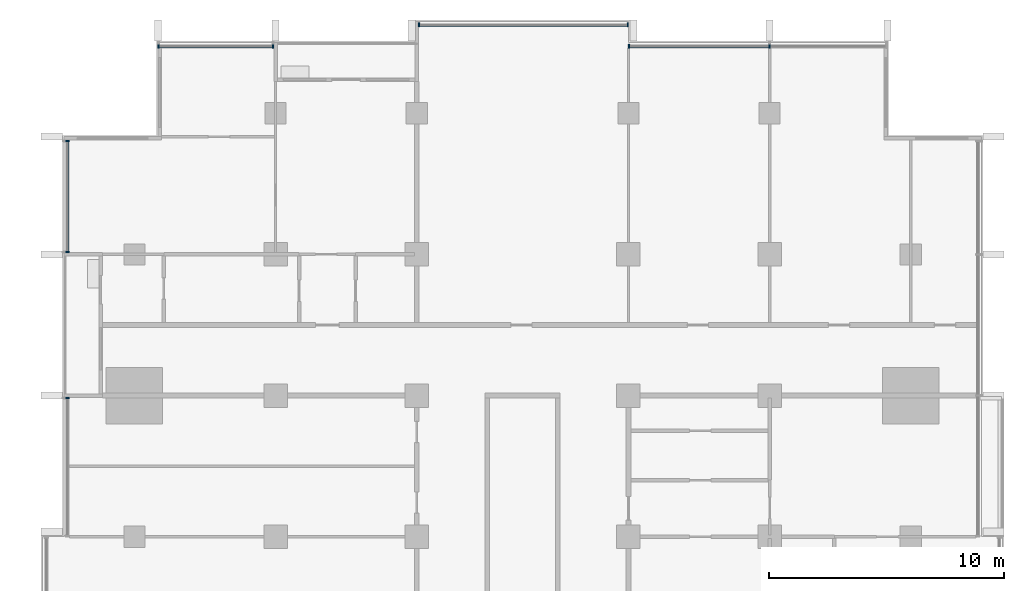
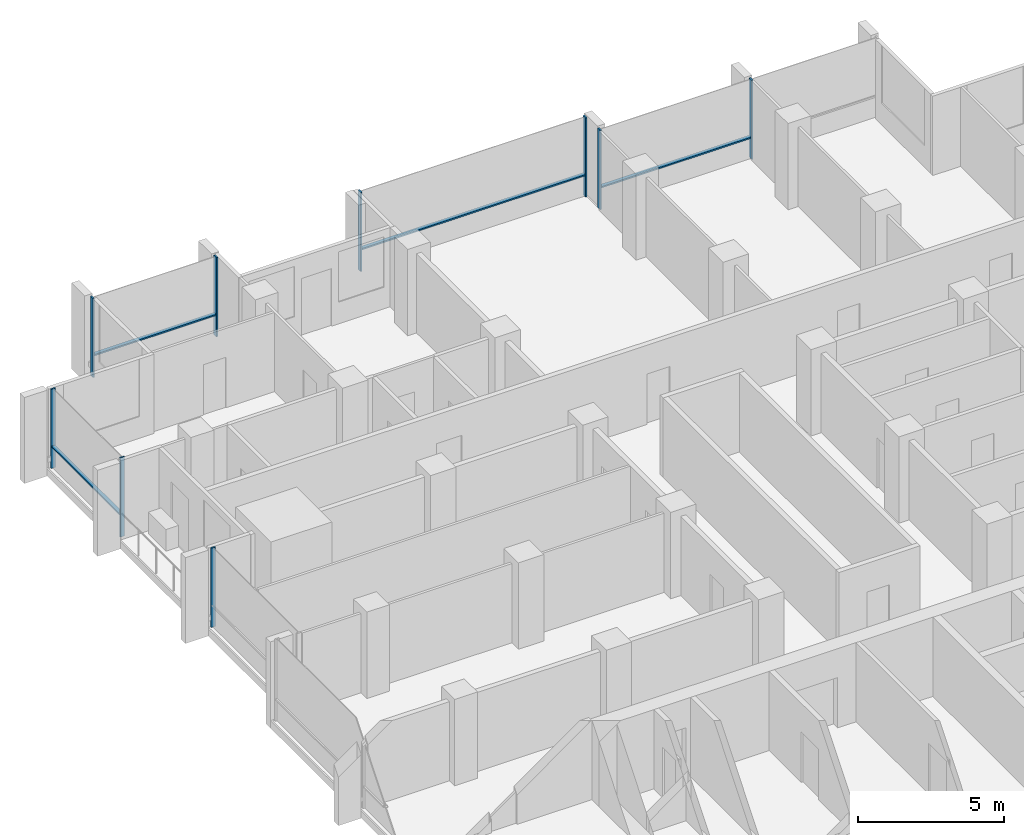
# One storey, part 4 of 16: 13 members, 5 elements without a shape of their own.
"""IFC4 building model written with IfcOpenShell, lengths in metres."""

from ifc_helpers import new_model, si_unit, direction, frame, origin, origin_2d, place, context, subcontext, project, spatial, rectangle, extrude, material, material_profile, profile_set, type_object, element, aggregate, save


model = new_model("IFC4")

# Units and contexts
model_context = context("Model", 3, precision=1e-05, world=origin(), true_north=direction((0.0, 1.0)))
body_context = subcontext(model_context, "Body", "Model", "MODEL_VIEW")
ifc_project = project(units=[si_unit("LENGTHUNIT", "METRE"), si_unit("AREAUNIT", "SQUARE_METRE"), si_unit("VOLUMEUNIT", "CUBIC_METRE"), si_unit("PLANEANGLEUNIT", "RADIAN"), si_unit("MASSUNIT", "GRAM", prefix="KILO")], contexts=[model_context])

# Site, building, storey
site_placement = place(None, origin())
site = spatial("IfcSite", under=ifc_project, at=site_placement, CompositionType="ELEMENT")
building_placement = place(site_placement, origin())
building = spatial("IfcBuilding", under=site, at=building_placement, Name="Finial Court Residences", CompositionType="ELEMENT")
storey_placement = place(building_placement, frame((0.0, 0.0, 185.300048828125)))
storey = spatial("IfcBuildingStorey", under=building, at=storey_placement, Name="L46", CompositionType="ELEMENT", Elevation=185.300048828125)

# Curtain wall, members
ifc_material = material(Name="Bronze anodised aluminium", Category="aluminium")
curtain_wall_type = type_object("IfcCurtainWallType", Name="Unitised curtain wall, upper zones", PredefinedType="NOTDEFINED", material=ifc_material)
curtain_wall_1_placement = place(storey_placement, origin())
curtain_wall_1 = element("IfcCurtainWall", 1, at=curtain_wall_1_placement, inside=storey, type_object=curtain_wall_type, Name="E-L46-CW-N1", PredefinedType="NOTDEFINED")
ifc_material_profile_1 = material_profile(ifc_material, rectangle(XDim=0.175048828125, YDim=0.06005859375, at=origin_2d()), Name="CW2 mullion 60 x 175")
ifc_profile_set_1 = profile_set([ifc_material_profile_1], Name="Bronze anodised aluminium")
member_type_1 = type_object("IfcMemberType", Name="CW2 mullion 60 x 175", PredefinedType="MULLION", material=ifc_profile_set_1)
member_1_placement = place(storey_placement, frame((-15.469970703125, 22.35009765625, 0.0), z_axis=(0.0, 0.0, 1.0), x_axis=(0.0, 1.0, 0.0)))
member_1 = element("IfcMember", 2, at=member_1_placement, type_object=member_type_1, Name="CW2 mullion 1", PredefinedType="MULLION", context=body_context, shape_type="SweptSolid", body=[
    extrude(rectangle(XDim=0.175048828125, YDim=0.06005859375, at=origin_2d()), origin(), (0.0, 0.0, 1.0), 3.300048828125),
])
member_2_placement = place(storey_placement, frame((-10.60498046875, 22.35009765625, 0.0), z_axis=(0.0, 0.0, 1.0), x_axis=(0.0, 1.0, 0.0)))
member_2 = element("IfcMember", 3, at=member_2_placement, type_object=member_type_1, Name="CW2 mullion 2", PredefinedType="MULLION", context=body_context, shape_type="SweptSolid", body=[
    extrude(rectangle(XDim=0.175048828125, YDim=0.06005859375, at=origin_2d()), origin(), (0.0, 0.0, 1.0), 3.300048828125),
])

curtain_wall_2_placement = place(storey_placement, origin())
curtain_wall_2 = element("IfcCurtainWall", 4, at=curtain_wall_2_placement, inside=storey, type_object=curtain_wall_type, Name="E-L46-CW-N2", PredefinedType="NOTDEFINED")
member_3_placement = place(storey_placement, frame((-4.39501953125, 23.25, 0.0), z_axis=(0.0, 0.0, 1.0), x_axis=(0.0, 1.0, 0.0)))
member_3 = element("IfcMember", 5, at=member_3_placement, type_object=member_type_1, Name="CW2 mullion 1", PredefinedType="MULLION", context=body_context, shape_type="SweptSolid", body=[
    extrude(rectangle(XDim=0.175048828125, YDim=0.06005859375, at=origin_2d()), origin(), (0.0, 0.0, 1.0), 3.300048828125),
])
member_4_placement = place(storey_placement, frame((4.469970703125, 23.25, 0.0), z_axis=(0.0, 0.0, 1.0), x_axis=(0.0, 1.0, 0.0)))
member_4 = element("IfcMember", 6, at=member_4_placement, type_object=member_type_1, Name="CW2 mullion 2", PredefinedType="MULLION", context=body_context, shape_type="SweptSolid", body=[
    extrude(rectangle(XDim=0.175048828125, YDim=0.06005859375, at=origin_2d()), origin(), (0.0, 0.0, 1.0), 3.300048828125),
])

curtain_wall_3_placement = place(storey_placement, origin())
curtain_wall_3 = element("IfcCurtainWall", 7, at=curtain_wall_3_placement, inside=storey, type_object=curtain_wall_type, Name="E-L46-CW-N3", PredefinedType="NOTDEFINED")
member_5_placement = place(storey_placement, frame((4.530029296875, 22.35009765625, 0.0), z_axis=(0.0, 0.0, 1.0), x_axis=(0.0, 1.0, 0.0)))
member_5 = element("IfcMember", 8, at=member_5_placement, type_object=member_type_1, Name="CW2 mullion 1", PredefinedType="MULLION", context=body_context, shape_type="SweptSolid", body=[
    extrude(rectangle(XDim=0.175048828125, YDim=0.06005859375, at=origin_2d()), origin(), (0.0, 0.0, 1.0), 3.300048828125),
])
member_6_placement = place(storey_placement, frame((10.5, 22.35009765625, 0.0), z_axis=(0.0, 0.0, 1.0), x_axis=(0.0, 1.0, 0.0)))
member_6 = element("IfcMember", 9, at=member_6_placement, type_object=member_type_1, Name="CW2 mullion 2", PredefinedType="MULLION", context=body_context, shape_type="SweptSolid", body=[
    extrude(rectangle(XDim=0.175048828125, YDim=0.06005859375, at=origin_2d()), origin(), (0.0, 0.0, 1.0), 3.300048828125),
])

# Curtain wall, member
curtain_wall_4_placement = place(storey_placement, origin())
curtain_wall_4 = element("IfcCurtainWall", 10, at=curtain_wall_4_placement, inside=storey, type_object=curtain_wall_type, Name="E-L46-CW-W12", PredefinedType="NOTDEFINED")
member_7_placement = place(storey_placement, frame((-19.35009765625, 7.39501953125, 0.0), z_axis=(0.0, 0.0, 1.0), x_axis=(-1.0, 0.0, 0.0)))
member_7 = element("IfcMember", 11, at=member_7_placement, type_object=member_type_1, Name="CW2 mullion 2", PredefinedType="MULLION", context=body_context, shape_type="SweptSolid", body=[
    extrude(rectangle(XDim=0.175048828125, YDim=0.06005859375, at=origin_2d()), origin(), (0.0, 0.0, 1.0), 3.300048828125),
])
aggregate(curtain_wall_4, [member_7])

# Curtain wall, members
curtain_wall_5_placement = place(storey_placement, origin())
curtain_wall_5 = element("IfcCurtainWall", 12, at=curtain_wall_5_placement, inside=storey, type_object=curtain_wall_type, Name="E-L46-CW-W13", PredefinedType="NOTDEFINED")
member_8_placement = place(storey_placement, frame((-19.35009765625, 13.60498046875, 0.0), z_axis=(0.0, 0.0, 1.0), x_axis=(-1.0, 0.0, 0.0)))
member_8 = element("IfcMember", 13, at=member_8_placement, type_object=member_type_1, Name="CW2 mullion 1", PredefinedType="MULLION", context=body_context, shape_type="SweptSolid", body=[
    extrude(rectangle(XDim=0.175048828125, YDim=0.06005859375, at=origin_2d()), origin(), (0.0, 0.0, 1.0), 3.300048828125),
])
member_9_placement = place(storey_placement, frame((-19.35009765625, 18.320068359375, 0.0), z_axis=(0.0, 0.0, 1.0), x_axis=(-1.0, 0.0, 0.0)))
member_9 = element("IfcMember", 14, at=member_9_placement, type_object=member_type_1, Name="CW2 mullion 2", PredefinedType="MULLION", context=body_context, shape_type="SweptSolid", body=[
    extrude(rectangle(XDim=0.175048828125, YDim=0.06005859375, at=origin_2d()), origin(), (0.0, 0.0, 1.0), 3.300048828125),
])

# Member
ifc_material_profile_2 = material_profile(ifc_material, rectangle(XDim=0.139892578125, YDim=0.06005859375, at=origin_2d()), Name="CW2 transom 60 x 140")
ifc_profile_set_2 = profile_set([ifc_material_profile_2], Name="Bronze anodised aluminium")
member_type_2 = type_object("IfcMemberType", Name="CW2 transom 60 x 140", PredefinedType="USERDEFINED", material=ifc_profile_set_2)
member_10_placement = place(storey_placement, frame((-15.43994140625, 22.35009765625, 0.89990234375), z_axis=(1.0, 0.0, 0.0), x_axis=(0.0, 1.0, 0.0)))
member_10 = element("IfcMember", 15, at=member_10_placement, type_object=member_type_2, Name="CW2 transom 1.1", ObjectType="TRANSOM", PredefinedType="USERDEFINED", context=body_context, shape_type="SweptSolid", body=[
    extrude(rectangle(XDim=0.139892578125, YDim=0.06005859375, at=origin_2d()), origin(), (0.0, 0.0, 1.0), 4.804931640625),
])

aggregate(curtain_wall_1, [member_1, member_2, member_10])

member_11_placement = place(storey_placement, frame((-4.364990234375, 23.25, 0.89990234375), z_axis=(1.0, 0.0, 0.0), x_axis=(0.0, 1.0, 0.0)))
member_11 = element("IfcMember", 16, at=member_11_placement, type_object=member_type_2, Name="CW2 transom 1.1", ObjectType="TRANSOM", PredefinedType="USERDEFINED", context=body_context, shape_type="SweptSolid", body=[
    extrude(rectangle(XDim=0.139892578125, YDim=0.06005859375, at=origin_2d()), origin(), (0.0, 0.0, 1.0), 8.804931640625),
])

aggregate(curtain_wall_2, [member_3, member_4, member_11])

member_12_placement = place(storey_placement, frame((4.56005859375, 22.35009765625, 0.89990234375), z_axis=(1.0, 0.0, 0.0), x_axis=(0.0, 1.0, 0.0)))
member_12 = element("IfcMember", 17, at=member_12_placement, type_object=member_type_2, Name="CW2 transom 1.1", ObjectType="TRANSOM", PredefinedType="USERDEFINED", context=body_context, shape_type="SweptSolid", body=[
    extrude(rectangle(XDim=0.139892578125, YDim=0.06005859375, at=origin_2d()), origin(), (0.0, 0.0, 1.0), 5.909912109375),
])

aggregate(curtain_wall_3, [member_5, member_6, member_12])

member_13_placement = place(storey_placement, frame((-19.35009765625, 13.635009765625, 0.89990234375), z_axis=(0.0, 1.0, 0.0), x_axis=(-1.0, 0.0, 0.0)))
member_13 = element("IfcMember", 18, at=member_13_placement, type_object=member_type_2, Name="CW2 transom 1.1", ObjectType="TRANSOM", PredefinedType="USERDEFINED", context=body_context, shape_type="SweptSolid", body=[
    extrude(rectangle(XDim=0.139892578125, YDim=0.06005859375, at=origin_2d()), origin(), (0.0, 0.0, 1.0), 4.655029296875),
])

aggregate(curtain_wall_5, [member_8, member_9, member_13])

save(model, "model.ifc")
